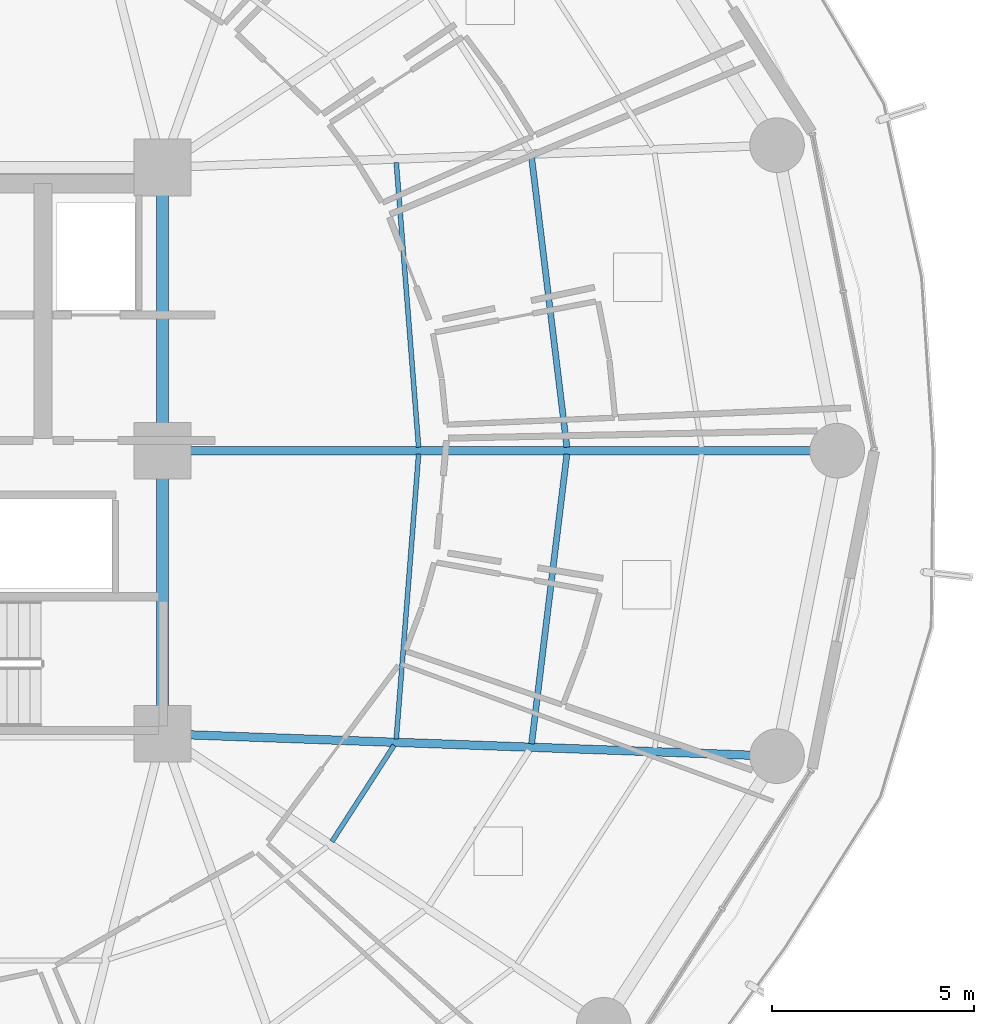
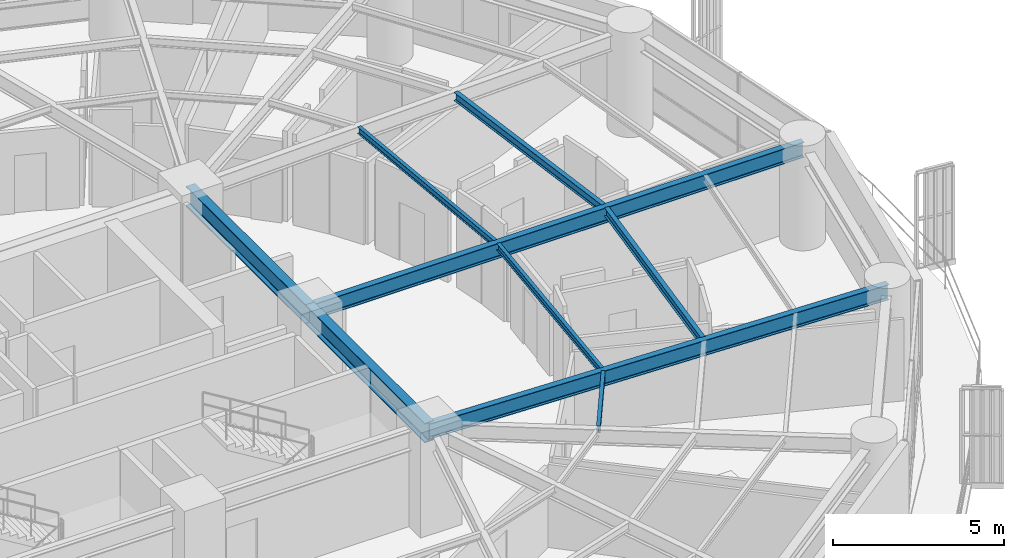
# One storey, part 14 of 35: 9 beams.
"""IFC4 building model written with IfcOpenShell, lengths in metres."""

from ifc_helpers import new_model, si_unit, direction, frame, origin, origin_2d, place, context, subcontext, project, spatial, i_section, extrude, material, material_profile, profile_set, type_object, element, save


model = new_model("IFC4")

# Units and contexts
model_context = context("Model", 3, precision=1e-05, world=origin(), true_north=direction((0.0, 1.0)))
body_context = subcontext(model_context, "Body", "Model", "MODEL_VIEW")
ifc_project = project(units=[si_unit("LENGTHUNIT", "METRE"), si_unit("AREAUNIT", "SQUARE_METRE"), si_unit("VOLUMEUNIT", "CUBIC_METRE"), si_unit("PLANEANGLEUNIT", "RADIAN"), si_unit("MASSUNIT", "GRAM", prefix="KILO")], contexts=[model_context])

# Site, building, storey
site_placement = place(None, origin())
site = spatial("IfcSite", under=ifc_project, at=site_placement, CompositionType="ELEMENT")
building_placement = place(site_placement, origin())
building = spatial("IfcBuilding", under=site, at=building_placement, Name="Kelanora Arch Commons", CompositionType="ELEMENT")
storey_placement = place(building_placement, frame((0.0, 0.0, 95.10009765625)))
storey = spatial("IfcBuildingStorey", under=building, at=storey_placement, Name="L24", CompositionType="ELEMENT", Elevation=95.10009765625)

# Beams
ifc_material = material(Name="Steel S355", Category="steel")
ifc_material_profile_1 = material_profile(ifc_material, i_section(OverallWidth=0.300048828125, OverallDepth=0.699951171875, WebThickness=0.01708984375, FlangeThickness=0.031982421875, FilletRadius=0.027099609375, at=origin_2d()), Name="HEB700")
ifc_profile_set_1 = profile_set([ifc_material_profile_1], Name="Steel S355")
beam_type_1 = type_object("IfcBeamType", Name="BM-CORE-HDR", PredefinedType="BEAM", material=ifc_profile_set_1)
for number, where, z_axis, x_axis, name in (
    (1, (82.0, 51.0, 3.139892578125), (0.0, 1.0, 0.0), (-1.0, 0.0, 0.0), "Core Header Beam 03 L24"),
    (2, (82.0, 58.0, 3.139892578125), (0.0, 1.0, 0.0), (-1.0, 0.0, 0.0), "Core Header Beam 04 L24"),
):
    element("IfcBeam", number, at=place(storey_placement, frame(where, z_axis=z_axis, x_axis=x_axis)), inside=storey, type_object=beam_type_1, Name=name, PredefinedType="BEAM", context=body_context, shape_type="SweptSolid", body=[
        extrude(i_section(OverallWidth=0.300048828125, OverallDepth=0.699951171875, WebThickness=0.01708984375, FlangeThickness=0.031982421875, FilletRadius=0.027099609375, at=origin_2d()), origin(), (0.0, 0.0, 1.0), 7.0),
    ])
ifc_material_profile_2 = material_profile(ifc_material, i_section(OverallWidth=0.14990234375, OverallDepth=0.300048828125, WebThickness=0.007080078125, FlangeThickness=0.0107421875, FilletRadius=0.014892578125, at=origin_2d()), Name="IPE300")
ifc_profile_set_2 = profile_set([ifc_material_profile_2], Name="Steel S355")
beam_type_2 = type_object("IfcBeamType", Name="BM-JST-01", PredefinedType="JOIST", material=ifc_profile_set_2)
for number, where, z_axis, x_axis, name in (
    (3, (91.997802734375, 58.08447265625, 3.33984375), (-0.120935645266, 0.992660349618, 0.0), (-0.992660349618, -0.120935645266, 0.0), "Secondary Chord Joist BJB-00 L24"),
    (4, (91.125244140625, 50.75341796875, 3.33984375), (0.120935645266, 0.992660349618, 0.0), (-0.992660349618, 0.120935645266, 0.0), "Secondary Chord Joist BJB-34 L24"),
):
    element("IfcBeam", number, at=place(storey_placement, frame(where, z_axis=z_axis, x_axis=x_axis)), inside=storey, type_object=beam_type_2, Name=name, PredefinedType="JOIST", context=body_context, shape_type="SweptSolid", body=[
        extrude(i_section(OverallWidth=0.14990234375, OverallDepth=0.300048828125, WebThickness=0.007080078125, FlangeThickness=0.0107421875, FilletRadius=0.014892578125, at=origin_2d()), origin(), (0.0, 0.0, 1.0), 7.215087890625),
    ])
ifc_material_profile_3 = material_profile(ifc_material, i_section(OverallWidth=0.1201171875, OverallDepth=0.239990234375, WebThickness=0.006103515625, FlangeThickness=0.009765625, FilletRadius=0.014892578125, at=origin_2d()), Name="IPE240")
ifc_profile_set_3 = profile_set([ifc_material_profile_3], Name="Steel S355")
beam_type_3 = type_object("IfcBeamType", Name="BM-JST-02", PredefinedType="JOIST", material=ifc_profile_set_3)
beam_1_placement = place(storey_placement, frame((88.331787109375, 58.084716796875, 3.369873046875), z_axis=(-0.078200677502, 0.996937637989, 0.0), x_axis=(-0.996937637989, -0.078200677502, 0.0)))
element("IfcBeam", 5, at=beam_1_placement, inside=storey, type_object=beam_type_3, Name="Secondary Chord Joist BJA-00 L24", PredefinedType="JOIST", context=body_context, shape_type="SweptSolid", body=[
    extrude(i_section(OverallWidth=0.1201171875, OverallDepth=0.239990234375, WebThickness=0.006103515625, FlangeThickness=0.009765625, FilletRadius=0.014892578125, at=origin_2d()), origin(), (0.0, 0.0, 1.0), 7.06201171875),
])
beam_2_placement = place(storey_placement, frame((86.1904296875, 48.338134765625, 3.369873046875), z_axis=(0.542211255502, 0.840242199849, 0.0), x_axis=(-0.840242199849, 0.542211255502, 0.0)))
element("IfcBeam", 6, at=beam_2_placement, inside=storey, type_object=beam_type_3, Name="Secondary Chord Joist BJA-32 L24", PredefinedType="JOIST", context=body_context, shape_type="SweptSolid", body=[
    extrude(i_section(OverallWidth=0.1201171875, OverallDepth=0.239990234375, WebThickness=0.006103515625, FlangeThickness=0.009765625, FilletRadius=0.014892578125, at=origin_2d()), origin(), (0.0, 0.0, 1.0), 2.83349609375),
])
beam_3_placement = place(storey_placement, frame((87.779541015625, 50.875, 3.369873046875), z_axis=(0.078200677502, 0.996937637989, 0.0), x_axis=(-0.996937637989, 0.078200677502, 0.0)))
element("IfcBeam", 7, at=beam_3_placement, inside=storey, type_object=beam_type_3, Name="Secondary Chord Joist BJA-34 L24", PredefinedType="JOIST", context=body_context, shape_type="SweptSolid", body=[
    extrude(i_section(OverallWidth=0.1201171875, OverallDepth=0.239990234375, WebThickness=0.006103515625, FlangeThickness=0.009765625, FilletRadius=0.014892578125, at=origin_2d()), origin(), (0.0, 0.0, 1.0), 7.06201171875),
])
ifc_material_profile_4 = material_profile(ifc_material, i_section(OverallWidth=0.2099609375, OverallDepth=0.550048828125, WebThickness=0.010986328125, FlangeThickness=0.01708984375, FilletRadius=0.02392578125, at=origin_2d()), Name="IPE550")
ifc_profile_set_4 = profile_set([ifc_material_profile_4], Name="Steel S355")
beam_type_4 = type_object("IfcBeamType", Name="BM-RAD-Z2", PredefinedType="BEAM", material=ifc_profile_set_4)
beam_4_placement = place(storey_placement, frame((82.0, 58.0, 3.21484375), z_axis=(1.0, 0.0, 0.0), x_axis=(0.0, 1.0, 0.0)))
element("IfcBeam", 8, at=beam_4_placement, inside=storey, type_object=beam_type_4, Name="Radial Floor Girder BR-00 L24", PredefinedType="BEAM", context=body_context, shape_type="SweptSolid", body=[
    extrude(i_section(OverallWidth=0.2099609375, OverallDepth=0.550048828125, WebThickness=0.010986328125, FlangeThickness=0.01708984375, FilletRadius=0.02392578125, at=origin_2d()), origin(), (0.0, 0.0, 1.0), 16.679931640625),
])
beam_5_placement = place(storey_placement, frame((82.0, 51.0, 3.21484375), z_axis=(0.999341087625, -0.036295875581, 0.0), x_axis=(0.036295875581, 0.999341087625, 0.0)))
element("IfcBeam", 9, at=beam_5_placement, inside=storey, type_object=beam_type_4, Name="Radial Floor Girder BR-34 L24", PredefinedType="BEAM", context=body_context, shape_type="SweptSolid", body=[
    extrude(i_section(OverallWidth=0.2099609375, OverallDepth=0.550048828125, WebThickness=0.010986328125, FlangeThickness=0.01708984375, FilletRadius=0.02392578125, at=origin_2d()), origin(), (0.0, 0.0, 1.0), 15.20166015625),
])

save(model, "model.ifc")
